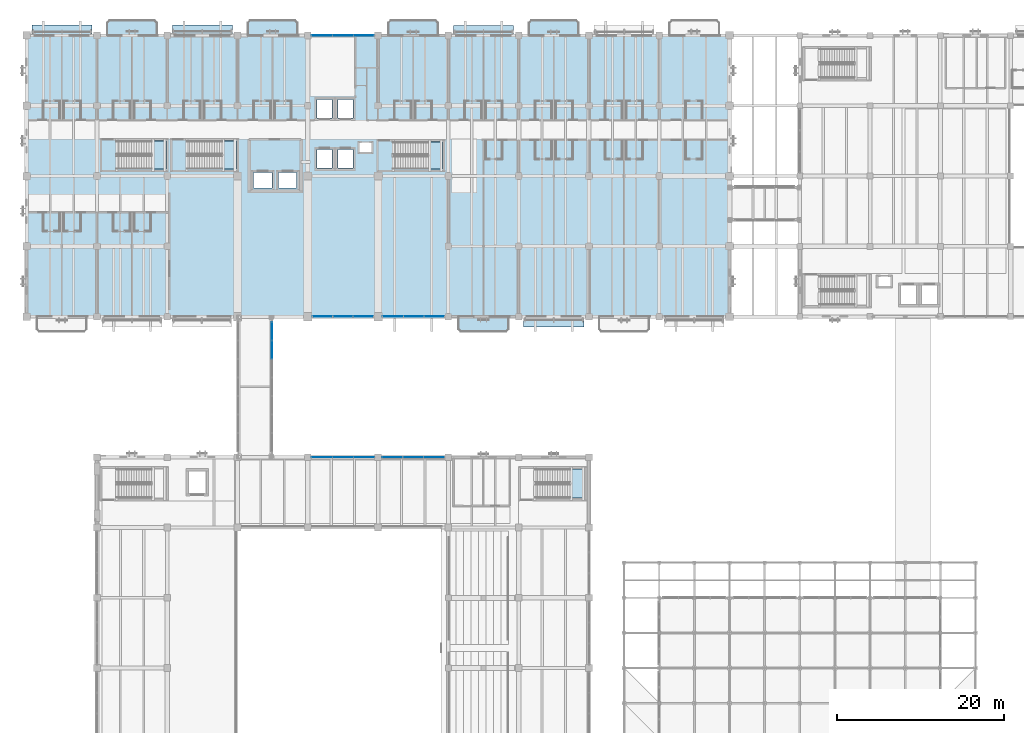
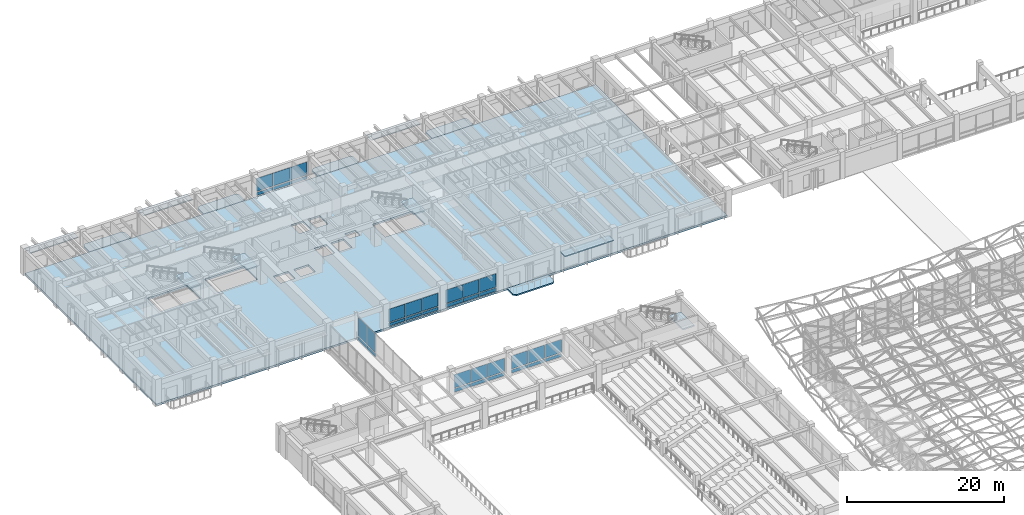
# One storey, part 66 of 132: 38 plates, 10 slabs, 14 elements without a shape of their own.
"""IFC4 building model written with IfcOpenShell, lengths in metres."""

from ifc_helpers import new_model, si_unit, direction, frame, origin, origin_2d, place, context, subcontext, project, spatial, polyline, rectangle, outline, extrude, material, layer, layer_set, type_object, element, aggregate, save


model = new_model("IFC4")

# Units and contexts
model_context = context("Model", 3, precision=1e-05, world=origin(), true_north=direction((0.0, 1.0)))
body_context = subcontext(model_context, "Body", "Model", "MODEL_VIEW")
ifc_project = project(units=[si_unit("LENGTHUNIT", "METRE"), si_unit("AREAUNIT", "SQUARE_METRE"), si_unit("VOLUMEUNIT", "CUBIC_METRE"), si_unit("PLANEANGLEUNIT", "RADIAN"), si_unit("MASSUNIT", "GRAM", prefix="KILO")], contexts=[model_context])

# Site, building, storey
site_placement = place(None, origin())
site = spatial("IfcSite", under=ifc_project, at=site_placement, CompositionType="ELEMENT")
building_placement = place(site_placement, origin())
building = spatial("IfcBuilding", under=site, at=building_placement, Name="Cumbredor Promenade Congress Hotel", CompositionType="ELEMENT")
storey_placement = place(building_placement, frame((0.0, 0.0, 7.56005859375)))
storey = spatial("IfcBuildingStorey", under=building, at=storey_placement, Name="L02", CompositionType="ELEMENT", Elevation=7.56005859375)

# Slabs
ifc_material_1 = material(Name="Concrete C40/50", Category="concrete")
ifc_layer_1 = layer(ifc_material_1, 0.215087890625, Name="Concrete C40/50", Category="concrete")
ifc_layer_set_1 = layer_set([ifc_layer_1], Name="Concrete C40/50")
slab_type_1 = type_object("IfcSlabType", Name="Cantilevered Guestroom Balcony Slab 215mm", PredefinedType="FLOOR", material=ifc_layer_set_1)
slab_1_placement = place(storey_placement, frame((0.0, 0.0, -0.215087890625)))
element("IfcSlab", 1, at=slab_1_placement, inside=storey, type_object=slab_type_1, Name="L02 Cantilevered Guestroom Veranda Balcony 004", PredefinedType="FLOOR", context=body_context, shape_type="SweptSolid", body=[
    extrude(outline(polyline([(9.550048828125, 117.60009765625), (15.64990234375, 117.60009765625), (15.64990234375, 119.10009765625), (15.300048828125, 119.449951171875), (9.89990234375, 119.449951171875), (9.550048828125, 119.10009765625), (9.550048828125, 117.60009765625)])), origin(), (0.0, 0.0, 1.0), 0.215087890625),
])
slab_2_placement = place(storey_placement, frame((0.0, 0.0, -0.215087890625)))
element("IfcSlab", 2, at=slab_2_placement, inside=storey, type_object=slab_type_1, Name="L02 Cantilevered Guestroom Veranda Balcony 005", PredefinedType="FLOOR", context=body_context, shape_type="SweptSolid", body=[
    extrude(outline(polyline([(26.35009765625, 117.60009765625), (32.449951171875, 117.60009765625), (32.449951171875, 119.10009765625), (32.10009765625, 119.449951171875), (26.699951171875, 119.449951171875), (26.35009765625, 119.10009765625), (26.35009765625, 117.60009765625)])), origin(), (0.0, 0.0, 1.0), 0.215087890625),
])
slab_3_placement = place(storey_placement, frame((0.0, 0.0, -0.215087890625)))
element("IfcSlab", 3, at=slab_3_placement, inside=storey, type_object=slab_type_1, Name="L02 Cantilevered Guestroom Veranda Balcony 006", PredefinedType="FLOOR", context=body_context, shape_type="SweptSolid", body=[
    extrude(outline(polyline([(43.14990234375, 117.60009765625), (49.25, 117.60009765625), (49.25, 119.10009765625), (48.89990234375, 119.449951171875), (43.5, 119.449951171875), (43.14990234375, 119.10009765625), (43.14990234375, 117.60009765625)])), origin(), (0.0, 0.0, 1.0), 0.215087890625),
])
slab_4_placement = place(storey_placement, frame((0.0, 0.0, -0.215087890625)))
element("IfcSlab", 4, at=slab_4_placement, inside=storey, type_object=slab_type_1, Name="L02 Cantilevered Guestroom Veranda Balcony 007", PredefinedType="FLOOR", context=body_context, shape_type="SweptSolid", body=[
    extrude(outline(polyline([(59.949951171875, 117.60009765625), (66.050048828125, 117.60009765625), (66.050048828125, 119.10009765625), (65.699951171875, 119.449951171875), (60.300048828125, 119.449951171875), (59.949951171875, 119.10009765625), (59.949951171875, 117.60009765625)])), origin(), (0.0, 0.0, 1.0), 0.215087890625),
])
slab_5_placement = place(storey_placement, frame((0.0, 0.0, -0.215087890625)))
element("IfcSlab", 5, at=slab_5_placement, inside=storey, type_object=slab_type_1, Name="L02 Cantilevered Guestroom Veranda Balcony 010", PredefinedType="FLOOR", context=body_context, shape_type="SweptSolid", body=[
    extrude(outline(polyline([(51.89990234375, 82.14990234375), (57.300048828125, 82.14990234375), (57.64990234375, 82.5), (57.64990234375, 84.0), (51.550048828125, 84.0), (51.550048828125, 82.5), (51.89990234375, 82.14990234375)])), origin(), (0.0, 0.0, 1.0), 0.215087890625),
])

# Stair, slab
stair_type_1 = type_object("IfcStairType", Name="Protected Dog-Leg Exit Stair ST-T2 1600mm", PredefinedType="HALF_TURN_STAIR", material=ifc_material_1)
stair_1_placement = place(storey_placement, origin())
stair_1 = element("IfcStair", 6, at=stair_1_placement, inside=storey, type_object=stair_type_1, Name="L02 Protected Exit Stair ST-01", PredefinedType="HALF_TURN_STAIR")
ifc_layer_2 = layer(ifc_material_1, 0.199951171875, Name="Concrete C40/50", Category="concrete")
ifc_layer_set_2 = layer_set([ifc_layer_2], Name="Concrete C40/50")
slab_type_2 = type_object("IfcSlabType", Name="Concrete Stair Landing Slab 200mm", PredefinedType="LANDING", material=ifc_layer_set_2)
slab_6_placement = place(storey_placement, frame((0.0, 0.0, 1.89990234375)))
slab_6 = element("IfcSlab", 7, at=slab_6_placement, type_object=slab_type_2, Name="ST-01 landing 1", PredefinedType="LANDING", context=body_context, shape_type="SweptSolid", body=[
    extrude(outline(polyline([(14.949951171875, 101.6201171875), (16.64990234375, 101.6201171875), (16.64990234375, 104.969970703125), (14.949951171875, 104.969970703125), (14.949951171875, 101.6201171875)])), origin(), (0.0, 0.0, 1.0), 0.199951171875),
])
aggregate(stair_1, [slab_6])

stair_2_placement = place(storey_placement, origin())
stair_2 = element("IfcStair", 8, at=stair_2_placement, inside=storey, type_object=stair_type_1, Name="L02 Protected Exit Stair ST-02", PredefinedType="HALF_TURN_STAIR")
slab_7_placement = place(storey_placement, frame((0.0, 0.0, 1.89990234375)))
slab_7 = element("IfcSlab", 9, at=slab_7_placement, type_object=slab_type_2, Name="ST-02 landing 1", PredefinedType="LANDING", context=body_context, shape_type="SweptSolid", body=[
    extrude(outline(polyline([(23.35009765625, 101.6201171875), (25.050048828125, 101.6201171875), (25.050048828125, 104.969970703125), (23.35009765625, 104.969970703125), (23.35009765625, 101.6201171875)])), origin(), (0.0, 0.0, 1.0), 0.199951171875),
])
aggregate(stair_2, [slab_7])

stair_type_2 = type_object("IfcStairType", Name="Protected Dog-Leg Exit Stair ST-T1 1550mm", PredefinedType="HALF_TURN_STAIR", material=ifc_material_1)
stair_3_placement = place(storey_placement, origin())
stair_3 = element("IfcStair", 10, at=stair_3_placement, inside=storey, type_object=stair_type_2, Name="L02 Protected Exit Stair ST-03", PredefinedType="HALF_TURN_STAIR")
slab_8_placement = place(storey_placement, frame((0.0, 0.0, 1.89990234375)))
slab_8 = element("IfcSlab", 11, at=slab_8_placement, type_object=slab_type_2, Name="ST-03 landing 1", PredefinedType="LANDING", context=body_context, shape_type="SweptSolid", body=[
    extrude(outline(polyline([(48.0, 101.6201171875), (49.699951171875, 101.6201171875), (49.699951171875, 104.8701171875), (48.0, 104.8701171875), (48.0, 101.6201171875)])), origin(), (0.0, 0.0, 1.0), 0.199951171875),
])
aggregate(stair_3, [slab_8])

stair_type_3 = type_object("IfcStairType", Name="Protected Dog-Leg Exit Stair ST-T3 1650mm", PredefinedType="HALF_TURN_STAIR", material=ifc_material_1)
stair_4_placement = place(storey_placement, origin())
stair_4 = element("IfcStair", 12, at=stair_4_placement, inside=storey, type_object=stair_type_3, Name="L02 Protected Exit Stair ST-07", PredefinedType="HALF_TURN_STAIR")
slab_9_placement = place(storey_placement, frame((0.0, 0.0, 1.89990234375)))
slab_9 = element("IfcSlab", 13, at=slab_9_placement, type_object=slab_type_2, Name="ST-07 landing 1", PredefinedType="LANDING", context=body_context, shape_type="SweptSolid", body=[
    extrude(outline(polyline([(64.949951171875, 62.35009765625), (66.64990234375, 62.35009765625), (66.64990234375, 65.800048828125), (64.949951171875, 65.800048828125), (64.949951171875, 62.35009765625)])), origin(), (0.0, 0.0, 1.0), 0.199951171875),
])
aggregate(stair_4, [slab_9])

# Slab
ifc_layer_3 = layer(ifc_material_1, 0.280029296875, Name="Concrete C40/50", Category="concrete")
ifc_layer_set_3 = layer_set([ifc_layer_3], Name="Concrete C40/50")
slab_type_3 = type_object("IfcSlabType", Name="Gallery Floor Slab 280mm", PredefinedType="FLOOR", material=ifc_layer_set_3)
slab_10_placement = place(storey_placement, frame((0.0, 0.0, -0.280029296875)))
element("IfcSlab", 14, at=slab_10_placement, inside=storey, type_object=slab_type_3, Name="L02 Stepped Congress Hotel Wing Floor Slab", PredefinedType="FLOOR", context=body_context, shape_type="SweptSolid", body=[
    extrude(outline(polyline([(0.0, 84.0), (84.0, 84.0), (84.0, 117.60009765625), (0.0, 117.60009765625), (0.0, 84.0)]), holes=[polyline([(10.75, 101.6201171875), (16.64990234375, 101.6201171875), (16.64990234375, 104.969970703125), (10.75, 104.969970703125), (10.75, 101.6201171875)]), polyline([(19.14990234375, 101.6201171875), (25.050048828125, 101.6201171875), (25.050048828125, 104.969970703125), (19.14990234375, 104.969970703125), (19.14990234375, 101.6201171875)]), polyline([(43.800048828125, 101.6201171875), (49.699951171875, 101.6201171875), (49.699951171875, 104.8701171875), (43.800048828125, 104.8701171875), (43.800048828125, 101.6201171875)]), polyline([(27.1298828125, 99.39990234375), (29.300048828125, 99.39990234375), (29.300048828125, 101.199951171875), (27.1298828125, 101.199951171875), (27.1298828125, 99.39990234375)]), polyline([(30.10009765625, 99.39990234375), (32.27001953125, 99.39990234375), (32.27001953125, 101.199951171875), (30.10009765625, 101.199951171875), (30.10009765625, 99.39990234375)]), polyline([(34.699951171875, 107.75), (36.5, 107.75), (36.5, 109.949951171875), (34.699951171875, 109.949951171875), (34.699951171875, 107.75)]), polyline([(37.199951171875, 107.75), (39.0, 107.75), (39.0, 109.949951171875), (37.199951171875, 109.949951171875), (37.199951171875, 107.75)]), polyline([(34.699951171875, 101.75), (36.5, 101.75), (36.5, 103.949951171875), (34.699951171875, 103.949951171875), (34.699951171875, 101.75)]), polyline([(37.199951171875, 101.75), (39.0, 101.75), (39.0, 103.949951171875), (37.199951171875, 103.949951171875), (37.199951171875, 101.75)]), polyline([(39.699951171875, 103.60009765625), (41.300048828125, 103.60009765625), (41.300048828125, 104.800048828125), (39.699951171875, 104.800048828125), (39.699951171875, 103.60009765625)])]), origin(), (0.0, 0.0, 1.0), 0.280029296875),
])

# Curtain wall, plates
ifc_material_2 = material(Name="Thermally broken anodized aluminium and low-E glass", Category="aluminium")
curtain_wall_type_1 = type_object("IfcCurtainWallType", Name="Unitised Bridge Glazing Screen CW-05", PredefinedType="NOTDEFINED", material=ifc_material_2)
curtain_wall_1_placement = place(storey_placement, origin())
curtain_wall_1 = element("IfcCurtainWall", 15, at=curtain_wall_1_placement, inside=storey, type_object=curtain_wall_type_1, Name="L02 West Congress-to-Hotel Glazed Bridge East Glazing Screen", PredefinedType="NOTDEFINED")
ifc_material_3 = material(Name="Laminated low-E solar-control glass", Category="glass")
ifc_layer_4 = layer(ifc_material_3, 0.030029296875, Name="Laminated low-E solar-control glass", Category="glass")
ifc_layer_set_4 = layer_set([ifc_layer_4], Name="Laminated low-E solar-control glass")
plate_type_1 = type_object("IfcPlateType", Name="Glazed Bridge Panel PNL-04", PredefinedType="CURTAIN_PANEL", material=ifc_layer_set_4)
plate_1_placement = place(storey_placement, frame((29.320068359375, 80.02294921875, 0.78515625), z_axis=(0.0, 0.0, 1.0), x_axis=(0.0, 1.0, 0.0)))
plate_1 = element("IfcPlate", 16, at=plate_1_placement, type_object=plate_type_1, Name="L02 West Congress-to-Hotel Glazed Bridge East Glazing Screen Glazing Panel 6.2", PredefinedType="CURTAIN_PANEL", context=body_context, shape_type="SweptSolid", body=[
    extrude(rectangle(XDim=2.146484375, YDim=0.030029296875, at=origin_2d()), origin(), (0.0, 0.0, 1.0), 2.909912109375),
])
plate_2_placement = place(storey_placement, frame((29.320068359375, 82.234375, 0.78515625), z_axis=(0.0, 0.0, 1.0), x_axis=(0.0, 1.0, 0.0)))
plate_2 = element("IfcPlate", 17, at=plate_2_placement, type_object=plate_type_1, Name="L02 West Congress-to-Hotel Glazed Bridge East Glazing Screen Glazing Panel 7.2", PredefinedType="CURTAIN_PANEL", context=body_context, shape_type="SweptSolid", body=[
    extrude(rectangle(XDim=2.146484375, YDim=0.030029296875, at=origin_2d()), origin(), (0.0, 0.0, 1.0), 2.909912109375),
])

curtain_wall_type_2 = type_object("IfcCurtainWallType", Name="Unitised Bronze Curtain Wall CW-01", PredefinedType="NOTDEFINED", material=ifc_material_2)
curtain_wall_2_placement = place(storey_placement, origin())
curtain_wall_2 = element("IfcCurtainWall", 18, at=curtain_wall_2_placement, inside=storey, type_object=curtain_wall_type_2, Name="L02 Plenary Congress Hall North Curtain Wall 4", PredefinedType="NOTDEFINED")
ifc_layer_5 = layer(ifc_material_3, 0.028076171875, Name="Laminated low-E solar-control glass", Category="glass")
ifc_layer_set_5 = layer_set([ifc_layer_5], Name="Laminated low-E solar-control glass")
plate_type_2 = type_object("IfcPlateType", Name="Glazed Vision Panel PNL-01", PredefinedType="CURTAIN_PANEL", material=ifc_layer_set_5)
plate_3_placement = place(storey_placement, frame((35.30322265625, 67.199951171875, 0.78466796875), z_axis=(0.0, 0.0, 1.0), x_axis=(1.0, 0.0, 0.0)))
plate_3 = element("IfcPlate", 19, at=plate_3_placement, type_object=plate_type_2, Name="L02 Plenary Congress Hall North Curtain Wall 4 Glazing Panel 1.2", PredefinedType="CURTAIN_PANEL", context=body_context, shape_type="SweptSolid", body=[
    extrude(rectangle(XDim=2.431640625, YDim=0.028076171875, at=origin_2d()), origin(), (0.0, 0.0, 1.0), 2.070068359375),
])
plate_4_placement = place(storey_placement, frame((37.800048828125, 67.199951171875, 0.78466796875), z_axis=(0.0, 0.0, 1.0), x_axis=(1.0, 0.0, 0.0)))
plate_4 = element("IfcPlate", 20, at=plate_4_placement, type_object=plate_type_2, Name="L02 Plenary Congress Hall North Curtain Wall 4 Glazing Panel 2.2", PredefinedType="CURTAIN_PANEL", context=body_context, shape_type="SweptSolid", body=[
    extrude(rectangle(XDim=2.431640625, YDim=0.028076171875, at=origin_2d()), origin(), (0.0, 0.0, 1.0), 2.070068359375),
])
plate_5_placement = place(storey_placement, frame((40.296630859375, 67.199951171875, 0.78466796875), z_axis=(0.0, 0.0, 1.0), x_axis=(1.0, 0.0, 0.0)))
plate_5 = element("IfcPlate", 21, at=plate_5_placement, type_object=plate_type_2, Name="L02 Plenary Congress Hall North Curtain Wall 4 Glazing Panel 3.2", PredefinedType="CURTAIN_PANEL", context=body_context, shape_type="SweptSolid", body=[
    extrude(rectangle(XDim=2.431640625, YDim=0.028076171875, at=origin_2d()), origin(), (0.0, 0.0, 1.0), 2.070068359375),
])

curtain_wall_3_placement = place(storey_placement, origin())
curtain_wall_3 = element("IfcCurtainWall", 22, at=curtain_wall_3_placement, inside=storey, type_object=curtain_wall_type_2, Name="L02 Stepped Congress Hotel Wing South Curtain Wall 6", PredefinedType="NOTDEFINED")
plate_6_placement = place(storey_placement, frame((43.78662109375, 84.0, 0.78466796875), z_axis=(0.0, 0.0, 1.0), x_axis=(1.0, 0.0, 0.0)))
plate_6 = element("IfcPlate", 23, at=plate_6_placement, type_object=plate_type_2, Name="L02 Stepped Congress Hotel Wing South Curtain Wall 6 Glazing Panel 1.2", PredefinedType="CURTAIN_PANEL", context=body_context, shape_type="SweptSolid", body=[
    extrude(rectangle(XDim=2.398193359375, YDim=0.028076171875, at=origin_2d()), origin(), (0.0, 0.0, 1.0), 2.070068359375),
])
plate_7_placement = place(storey_placement, frame((46.25, 84.0, 0.78466796875), z_axis=(0.0, 0.0, 1.0), x_axis=(1.0, 0.0, 0.0)))
plate_7 = element("IfcPlate", 24, at=plate_7_placement, type_object=plate_type_2, Name="L02 Stepped Congress Hotel Wing South Curtain Wall 6 Glazing Panel 2.2", PredefinedType="CURTAIN_PANEL", context=body_context, shape_type="SweptSolid", body=[
    extrude(rectangle(XDim=2.3984375, YDim=0.028076171875, at=origin_2d()), origin(), (0.0, 0.0, 1.0), 2.070068359375),
])
plate_8_placement = place(storey_placement, frame((48.71337890625, 84.0, 0.78466796875), z_axis=(0.0, 0.0, 1.0), x_axis=(1.0, 0.0, 0.0)))
plate_8 = element("IfcPlate", 25, at=plate_8_placement, type_object=plate_type_2, Name="L02 Stepped Congress Hotel Wing South Curtain Wall 6 Glazing Panel 3.2", PredefinedType="CURTAIN_PANEL", context=body_context, shape_type="SweptSolid", body=[
    extrude(rectangle(XDim=2.398193359375, YDim=0.028076171875, at=origin_2d()), origin(), (0.0, 0.0, 1.0), 2.070068359375),
])

curtain_wall_4_placement = place(storey_placement, origin())
curtain_wall_4 = element("IfcCurtainWall", 26, at=curtain_wall_4_placement, inside=storey, type_object=curtain_wall_type_2, Name="L02 Plenary Congress Hall North Curtain Wall 5", PredefinedType="NOTDEFINED")
ifc_layer_6 = layer(ifc_material_3, 0.031982421875, Name="Laminated low-E solar-control glass", Category="glass")
ifc_layer_set_6 = layer_set([ifc_layer_6], Name="Laminated low-E solar-control glass")
plate_type_3 = type_object("IfcPlateType", Name="Glazed Vision Panel PNL-02", PredefinedType="CURTAIN_PANEL", material=ifc_layer_set_6)
plate_9_placement = place(storey_placement, frame((43.703369140625, 67.199951171875, 0.794921875), z_axis=(0.0, 0.0, 1.0), x_axis=(1.0, 0.0, 0.0)))
plate_9 = element("IfcPlate", 27, at=plate_9_placement, type_object=plate_type_3, Name="L02 Plenary Congress Hall North Curtain Wall 5 Glazing Panel 1.2", PredefinedType="CURTAIN_PANEL", context=body_context, shape_type="SweptSolid", body=[
    extrude(rectangle(XDim=2.421630859375, YDim=0.031982421875, at=origin_2d()), origin(), (0.0, 0.0, 1.0), 2.0400390625),
])
plate_10_placement = place(storey_placement, frame((46.199951171875, 67.199951171875, 0.794921875), z_axis=(0.0, 0.0, 1.0), x_axis=(1.0, 0.0, 0.0)))
plate_10 = element("IfcPlate", 28, at=plate_10_placement, type_object=plate_type_3, Name="L02 Plenary Congress Hall North Curtain Wall 5 Glazing Panel 2.2", PredefinedType="CURTAIN_PANEL", context=body_context, shape_type="SweptSolid", body=[
    extrude(rectangle(XDim=2.421630859375, YDim=0.031982421875, at=origin_2d()), origin(), (0.0, 0.0, 1.0), 2.0400390625),
])
plate_11_placement = place(storey_placement, frame((48.696533203125, 67.199951171875, 0.794921875), z_axis=(0.0, 0.0, 1.0), x_axis=(1.0, 0.0, 0.0)))
plate_11 = element("IfcPlate", 29, at=plate_11_placement, type_object=plate_type_3, Name="L02 Plenary Congress Hall North Curtain Wall 5 Glazing Panel 3.2", PredefinedType="CURTAIN_PANEL", context=body_context, shape_type="SweptSolid", body=[
    extrude(rectangle(XDim=2.421630859375, YDim=0.031982421875, at=origin_2d()), origin(), (0.0, 0.0, 1.0), 2.0400390625),
])

curtain_wall_5_placement = place(storey_placement, origin())
curtain_wall_5 = element("IfcCurtainWall", 30, at=curtain_wall_5_placement, inside=storey, type_object=curtain_wall_type_2, Name="L02 Stepped Congress Hotel Wing North Curtain Wall 5", PredefinedType="NOTDEFINED")
plate_12_placement = place(storey_placement, frame((35.303466796875, 117.60009765625, 0.794921875), z_axis=(0.0, 0.0, 1.0), x_axis=(1.0, 0.0, 0.0)))
plate_12 = element("IfcPlate", 31, at=plate_12_placement, type_object=plate_type_3, Name="L02 Stepped Congress Hotel Wing North Curtain Wall 5 Glazing Panel 1.2", PredefinedType="CURTAIN_PANEL", context=body_context, shape_type="SweptSolid", body=[
    extrude(rectangle(XDim=2.421630859375, YDim=0.031982421875, at=origin_2d()), origin(), (0.0, 0.0, 1.0), 2.0400390625),
])
plate_13_placement = place(storey_placement, frame((37.800048828125, 117.60009765625, 0.794921875), z_axis=(0.0, 0.0, 1.0), x_axis=(1.0, 0.0, 0.0)))
plate_13 = element("IfcPlate", 32, at=plate_13_placement, type_object=plate_type_3, Name="L02 Stepped Congress Hotel Wing North Curtain Wall 5 Glazing Panel 2.2", PredefinedType="CURTAIN_PANEL", context=body_context, shape_type="SweptSolid", body=[
    extrude(rectangle(XDim=2.421630859375, YDim=0.031982421875, at=origin_2d()), origin(), (0.0, 0.0, 1.0), 2.0400390625),
])
plate_14_placement = place(storey_placement, frame((40.296630859375, 117.60009765625, 0.794921875), z_axis=(0.0, 0.0, 1.0), x_axis=(1.0, 0.0, 0.0)))
plate_14 = element("IfcPlate", 33, at=plate_14_placement, type_object=plate_type_3, Name="L02 Stepped Congress Hotel Wing North Curtain Wall 5 Glazing Panel 3.2", PredefinedType="CURTAIN_PANEL", context=body_context, shape_type="SweptSolid", body=[
    extrude(rectangle(XDim=2.421630859375, YDim=0.031982421875, at=origin_2d()), origin(), (0.0, 0.0, 1.0), 2.0400390625),
])

curtain_wall_6_placement = place(storey_placement, origin())
curtain_wall_6 = element("IfcCurtainWall", 34, at=curtain_wall_6_placement, inside=storey, type_object=curtain_wall_type_2, Name="L02 Stepped Congress Hotel Wing South Curtain Wall 5", PredefinedType="NOTDEFINED")
ifc_layer_7 = layer(ifc_material_3, 0.028076171875, Name="Laminated low-E solar-control glass", Category="glass")
ifc_layer_set_7 = layer_set([ifc_layer_7], Name="Laminated low-E solar-control glass")
plate_type_4 = type_object("IfcPlateType", Name="Glazed Vision Panel PNL-03", PredefinedType="CURTAIN_PANEL", material=ifc_layer_set_7)
plate_15_placement = place(storey_placement, frame((35.3701171875, 84.0, 0.81005859375), z_axis=(0.0, 0.0, 1.0), x_axis=(1.0, 0.0, 0.0)))
plate_15 = element("IfcPlate", 35, at=plate_15_placement, type_object=plate_type_4, Name="L02 Stepped Congress Hotel Wing South Curtain Wall 5 Glazing Panel 1.2", PredefinedType="CURTAIN_PANEL", context=body_context, shape_type="SweptSolid", body=[
    extrude(rectangle(XDim=2.35009765625, YDim=0.028076171875, at=origin_2d()), origin(), (0.0, 0.0, 1.0), 2.0),
])
plate_16_placement = place(storey_placement, frame((37.800048828125, 84.0, 0.81005859375), z_axis=(0.0, 0.0, 1.0), x_axis=(1.0, 0.0, 0.0)))
plate_16 = element("IfcPlate", 36, at=plate_16_placement, type_object=plate_type_4, Name="L02 Stepped Congress Hotel Wing South Curtain Wall 5 Glazing Panel 2.2", PredefinedType="CURTAIN_PANEL", context=body_context, shape_type="SweptSolid", body=[
    extrude(rectangle(XDim=2.35009765625, YDim=0.028076171875, at=origin_2d()), origin(), (0.0, 0.0, 1.0), 2.0),
])
plate_17_placement = place(storey_placement, frame((40.22998046875, 84.0, 0.81005859375), z_axis=(0.0, 0.0, 1.0), x_axis=(1.0, 0.0, 0.0)))
plate_17 = element("IfcPlate", 37, at=plate_17_placement, type_object=plate_type_4, Name="L02 Stepped Congress Hotel Wing South Curtain Wall 5 Glazing Panel 3.2", PredefinedType="CURTAIN_PANEL", context=body_context, shape_type="SweptSolid", body=[
    extrude(rectangle(XDim=2.35009765625, YDim=0.028076171875, at=origin_2d()), origin(), (0.0, 0.0, 1.0), 2.0),
])

# Curtain wall, plate
curtain_wall_type_3 = type_object("IfcCurtainWallType", Name="Solar Brise-Soleil Screen Assembly CW-07", PredefinedType="NOTDEFINED", material=ifc_material_2)
curtain_wall_7_placement = place(storey_placement, origin())
curtain_wall_7 = element("IfcCurtainWall", 38, at=curtain_wall_7_placement, inside=storey, type_object=curtain_wall_type_3, Name="L02 Hospitality Brise-Soleil Screen 041", PredefinedType="NOTDEFINED")
ifc_material_4 = material(Name="Precast concrete C40/50", Category="concrete")
ifc_layer_8 = layer(ifc_material_4, 0.14501953125, Name="Precast concrete C40/50", Category="concrete")
ifc_layer_set_8 = layer_set([ifc_layer_8], Name="Precast concrete C40/50")
plate_type_5 = type_object("IfcPlateType", Name="Horizontal Precast Sun-Hood Eyebrow Plate 145mm", PredefinedType="USERDEFINED", material=ifc_layer_set_8)
plate_18_placement = place(storey_placement, frame((63.0, 83.433837890625, 2.824951171875), z_axis=(0.0, 0.0, 1.0), x_axis=(1.0, 0.0, 0.0)))
plate_18 = element("IfcPlate", 39, at=plate_18_placement, type_object=plate_type_5, Name="L02 Horizontal Sun-Hood Eyebrow 041", ObjectType="SUN HOOD", PredefinedType="USERDEFINED", context=body_context, shape_type="SweptSolid", body=[
    extrude(rectangle(XDim=7.197998046875, YDim=1.29248046875, at=origin_2d()), origin(), (0.0, 0.0, 1.0), 0.14501953125),
])
aggregate(curtain_wall_7, [plate_18])

curtain_wall_8_placement = place(storey_placement, origin())
curtain_wall_8 = element("IfcCurtainWall", 40, at=curtain_wall_8_placement, inside=storey, type_object=curtain_wall_type_3, Name="L02 Hospitality Brise-Soleil Screen 043", PredefinedType="NOTDEFINED")
plate_19_placement = place(storey_placement, frame((4.22509765625, 118.172607421875, 2.824951171875), z_axis=(0.0, 0.0, 1.0), x_axis=(1.0, 0.0, 0.0)))
plate_19 = element("IfcPlate", 41, at=plate_19_placement, type_object=plate_type_5, Name="L02 Horizontal Sun-Hood Eyebrow 043", ObjectType="SUN HOOD", PredefinedType="USERDEFINED", context=body_context, shape_type="SweptSolid", body=[
    extrude(rectangle(XDim=7.14794921875, YDim=1.304931640625, at=origin_2d()), origin(), (0.0, 0.0, 1.0), 0.14501953125),
])
aggregate(curtain_wall_8, [plate_19])

curtain_wall_9_placement = place(storey_placement, origin())
curtain_wall_9 = element("IfcCurtainWall", 42, at=curtain_wall_9_placement, inside=storey, type_object=curtain_wall_type_3, Name="L02 Hospitality Brise-Soleil Screen 044", PredefinedType="NOTDEFINED")
plate_20_placement = place(storey_placement, frame((21.0, 118.191162109375, 2.824951171875), z_axis=(0.0, 0.0, 1.0), x_axis=(1.0, 0.0, 0.0)))
plate_20 = element("IfcPlate", 43, at=plate_20_placement, type_object=plate_type_5, Name="L02 Horizontal Sun-Hood Eyebrow 044", ObjectType="SUN HOOD", PredefinedType="USERDEFINED", context=body_context, shape_type="SweptSolid", body=[
    extrude(rectangle(XDim=7.197998046875, YDim=1.342529296875, at=origin_2d()), origin(), (0.0, 0.0, 1.0), 0.14501953125),
])
aggregate(curtain_wall_9, [plate_20])

curtain_wall_10_placement = place(storey_placement, origin())
curtain_wall_10 = element("IfcCurtainWall", 44, at=curtain_wall_10_placement, inside=storey, type_object=curtain_wall_type_3, Name="L02 Hospitality Brise-Soleil Screen 045", PredefinedType="NOTDEFINED")
plate_21_placement = place(storey_placement, frame((54.60009765625, 118.159912109375, 2.824951171875), z_axis=(0.0, 0.0, 1.0), x_axis=(1.0, 0.0, 0.0)))
plate_21 = element("IfcPlate", 45, at=plate_21_placement, type_object=plate_type_5, Name="L02 Horizontal Sun-Hood Eyebrow 045", ObjectType="SUN HOOD", PredefinedType="USERDEFINED", context=body_context, shape_type="SweptSolid", body=[
    extrude(rectangle(XDim=7.197998046875, YDim=1.280029296875, at=origin_2d()), origin(), (0.0, 0.0, 1.0), 0.14501953125),
])
aggregate(curtain_wall_10, [plate_21])

# Plate
ifc_material_5 = material(Name="Thermally broken anodized aluminium", Category="aluminium")
ifc_layer_9 = layer(ifc_material_5, 0.0400390625, Name="Thermally broken anodized aluminium", Category="aluminium")
ifc_layer_set_9 = layer_set([ifc_layer_9], Name="Thermally broken anodized aluminium")
plate_type_6 = type_object("IfcPlateType", Name="Insulated Spandrel Panel PNL-05", PredefinedType="CURTAIN_PANEL", material=ifc_layer_set_9)
plate_22_placement = place(storey_placement, frame((35.30322265625, 67.199951171875, 0.125), z_axis=(0.0, 0.0, 1.0), x_axis=(1.0, 0.0, 0.0)))
plate_22 = element("IfcPlate", 46, at=plate_22_placement, type_object=plate_type_6, Name="L02 Plenary Congress Hall North Curtain Wall 4 Spandrel Panel 1.1", PredefinedType="CURTAIN_PANEL", context=body_context, shape_type="SweptSolid", body=[
    extrude(rectangle(XDim=2.431640625, YDim=0.0400390625, at=origin_2d()), origin(), (0.0, 0.0, 1.0), 0.530029296875),
])

plate_23_placement = place(storey_placement, frame((37.800048828125, 67.199951171875, 0.125), z_axis=(0.0, 0.0, 1.0), x_axis=(1.0, 0.0, 0.0)))
plate_23 = element("IfcPlate", 47, at=plate_23_placement, type_object=plate_type_6, Name="L02 Plenary Congress Hall North Curtain Wall 4 Spandrel Panel 2.1", PredefinedType="CURTAIN_PANEL", context=body_context, shape_type="SweptSolid", body=[
    extrude(rectangle(XDim=2.431640625, YDim=0.0400390625, at=origin_2d()), origin(), (0.0, 0.0, 1.0), 0.530029296875),
])

plate_24_placement = place(storey_placement, frame((40.296630859375, 67.199951171875, 0.125), z_axis=(0.0, 0.0, 1.0), x_axis=(1.0, 0.0, 0.0)))
plate_24 = element("IfcPlate", 48, at=plate_24_placement, type_object=plate_type_6, Name="L02 Plenary Congress Hall North Curtain Wall 4 Spandrel Panel 3.1", PredefinedType="CURTAIN_PANEL", context=body_context, shape_type="SweptSolid", body=[
    extrude(rectangle(XDim=2.431640625, YDim=0.0400390625, at=origin_2d()), origin(), (0.0, 0.0, 1.0), 0.530029296875),
])

aggregate(curtain_wall_2, [plate_22, plate_3, plate_23, plate_4, plate_24, plate_5])

plate_25_placement = place(storey_placement, frame((43.78662109375, 84.0, 0.125), z_axis=(0.0, 0.0, 1.0), x_axis=(1.0, 0.0, 0.0)))
plate_25 = element("IfcPlate", 49, at=plate_25_placement, type_object=plate_type_6, Name="L02 Stepped Congress Hotel Wing South Curtain Wall 6 Spandrel Panel 1.1", PredefinedType="CURTAIN_PANEL", context=body_context, shape_type="SweptSolid", body=[
    extrude(rectangle(XDim=2.398193359375, YDim=0.0400390625, at=origin_2d()), origin(), (0.0, 0.0, 1.0), 0.530029296875),
])

plate_26_placement = place(storey_placement, frame((46.25, 84.0, 0.125), z_axis=(0.0, 0.0, 1.0), x_axis=(1.0, 0.0, 0.0)))
plate_26 = element("IfcPlate", 50, at=plate_26_placement, type_object=plate_type_6, Name="L02 Stepped Congress Hotel Wing South Curtain Wall 6 Spandrel Panel 2.1", PredefinedType="CURTAIN_PANEL", context=body_context, shape_type="SweptSolid", body=[
    extrude(rectangle(XDim=2.3984375, YDim=0.0400390625, at=origin_2d()), origin(), (0.0, 0.0, 1.0), 0.530029296875),
])

plate_27_placement = place(storey_placement, frame((48.71337890625, 84.0, 0.125), z_axis=(0.0, 0.0, 1.0), x_axis=(1.0, 0.0, 0.0)))
plate_27 = element("IfcPlate", 51, at=plate_27_placement, type_object=plate_type_6, Name="L02 Stepped Congress Hotel Wing South Curtain Wall 6 Spandrel Panel 3.1", PredefinedType="CURTAIN_PANEL", context=body_context, shape_type="SweptSolid", body=[
    extrude(rectangle(XDim=2.398193359375, YDim=0.0400390625, at=origin_2d()), origin(), (0.0, 0.0, 1.0), 0.530029296875),
])

aggregate(curtain_wall_3, [plate_25, plate_6, plate_26, plate_7, plate_27, plate_8])

ifc_layer_10 = layer(ifc_material_5, 0.0400390625, Name="Thermally broken anodized aluminium", Category="aluminium")
ifc_layer_set_10 = layer_set([ifc_layer_10], Name="Thermally broken anodized aluminium")
plate_type_7 = type_object("IfcPlateType", Name="Insulated Spandrel Panel PNL-06", PredefinedType="CURTAIN_PANEL", material=ifc_layer_set_10)
plate_28_placement = place(storey_placement, frame((43.703369140625, 67.199951171875, 0.14501953125), z_axis=(0.0, 0.0, 1.0), x_axis=(1.0, 0.0, 0.0)))
plate_28 = element("IfcPlate", 52, at=plate_28_placement, type_object=plate_type_7, Name="L02 Plenary Congress Hall North Curtain Wall 5 Spandrel Panel 1.1", PredefinedType="CURTAIN_PANEL", context=body_context, shape_type="SweptSolid", body=[
    extrude(rectangle(XDim=2.421630859375, YDim=0.0400390625, at=origin_2d()), origin(), (0.0, 0.0, 1.0), 0.5),
])

plate_29_placement = place(storey_placement, frame((46.199951171875, 67.199951171875, 0.14501953125), z_axis=(0.0, 0.0, 1.0), x_axis=(1.0, 0.0, 0.0)))
plate_29 = element("IfcPlate", 53, at=plate_29_placement, type_object=plate_type_7, Name="L02 Plenary Congress Hall North Curtain Wall 5 Spandrel Panel 2.1", PredefinedType="CURTAIN_PANEL", context=body_context, shape_type="SweptSolid", body=[
    extrude(rectangle(XDim=2.421630859375, YDim=0.0400390625, at=origin_2d()), origin(), (0.0, 0.0, 1.0), 0.5),
])

plate_30_placement = place(storey_placement, frame((48.696533203125, 67.199951171875, 0.14501953125), z_axis=(0.0, 0.0, 1.0), x_axis=(1.0, 0.0, 0.0)))
plate_30 = element("IfcPlate", 54, at=plate_30_placement, type_object=plate_type_7, Name="L02 Plenary Congress Hall North Curtain Wall 5 Spandrel Panel 3.1", PredefinedType="CURTAIN_PANEL", context=body_context, shape_type="SweptSolid", body=[
    extrude(rectangle(XDim=2.421630859375, YDim=0.0400390625, at=origin_2d()), origin(), (0.0, 0.0, 1.0), 0.5),
])

aggregate(curtain_wall_4, [plate_28, plate_9, plate_29, plate_10, plate_30, plate_11])

plate_31_placement = place(storey_placement, frame((35.3701171875, 84.0, 0.18017578125), z_axis=(0.0, 0.0, 1.0), x_axis=(1.0, 0.0, 0.0)))
plate_31 = element("IfcPlate", 55, at=plate_31_placement, type_object=plate_type_7, Name="L02 Stepped Congress Hotel Wing South Curtain Wall 5 Spandrel Panel 1.1", PredefinedType="CURTAIN_PANEL", context=body_context, shape_type="SweptSolid", body=[
    extrude(rectangle(XDim=2.35009765625, YDim=0.0400390625, at=origin_2d()), origin(), (0.0, 0.0, 1.0), 0.449951171875),
])

plate_32_placement = place(storey_placement, frame((37.800048828125, 84.0, 0.18017578125), z_axis=(0.0, 0.0, 1.0), x_axis=(1.0, 0.0, 0.0)))
plate_32 = element("IfcPlate", 56, at=plate_32_placement, type_object=plate_type_7, Name="L02 Stepped Congress Hotel Wing South Curtain Wall 5 Spandrel Panel 2.1", PredefinedType="CURTAIN_PANEL", context=body_context, shape_type="SweptSolid", body=[
    extrude(rectangle(XDim=2.35009765625, YDim=0.0400390625, at=origin_2d()), origin(), (0.0, 0.0, 1.0), 0.449951171875),
])

plate_33_placement = place(storey_placement, frame((40.22998046875, 84.0, 0.18017578125), z_axis=(0.0, 0.0, 1.0), x_axis=(1.0, 0.0, 0.0)))
plate_33 = element("IfcPlate", 57, at=plate_33_placement, type_object=plate_type_7, Name="L02 Stepped Congress Hotel Wing South Curtain Wall 5 Spandrel Panel 3.1", PredefinedType="CURTAIN_PANEL", context=body_context, shape_type="SweptSolid", body=[
    extrude(rectangle(XDim=2.35009765625, YDim=0.0400390625, at=origin_2d()), origin(), (0.0, 0.0, 1.0), 0.449951171875),
])

aggregate(curtain_wall_6, [plate_31, plate_15, plate_32, plate_16, plate_33, plate_17])

plate_34_placement = place(storey_placement, frame((35.303466796875, 117.60009765625, 0.14501953125), z_axis=(0.0, 0.0, 1.0), x_axis=(1.0, 0.0, 0.0)))
plate_34 = element("IfcPlate", 58, at=plate_34_placement, type_object=plate_type_7, Name="L02 Stepped Congress Hotel Wing North Curtain Wall 5 Spandrel Panel 1.1", PredefinedType="CURTAIN_PANEL", context=body_context, shape_type="SweptSolid", body=[
    extrude(rectangle(XDim=2.421630859375, YDim=0.0400390625, at=origin_2d()), origin(), (0.0, 0.0, 1.0), 0.5),
])

plate_35_placement = place(storey_placement, frame((37.800048828125, 117.60009765625, 0.14501953125), z_axis=(0.0, 0.0, 1.0), x_axis=(1.0, 0.0, 0.0)))
plate_35 = element("IfcPlate", 59, at=plate_35_placement, type_object=plate_type_7, Name="L02 Stepped Congress Hotel Wing North Curtain Wall 5 Spandrel Panel 2.1", PredefinedType="CURTAIN_PANEL", context=body_context, shape_type="SweptSolid", body=[
    extrude(rectangle(XDim=2.421630859375, YDim=0.0400390625, at=origin_2d()), origin(), (0.0, 0.0, 1.0), 0.5),
])

plate_36_placement = place(storey_placement, frame((40.296630859375, 117.60009765625, 0.14501953125), z_axis=(0.0, 0.0, 1.0), x_axis=(1.0, 0.0, 0.0)))
plate_36 = element("IfcPlate", 60, at=plate_36_placement, type_object=plate_type_7, Name="L02 Stepped Congress Hotel Wing North Curtain Wall 5 Spandrel Panel 3.1", PredefinedType="CURTAIN_PANEL", context=body_context, shape_type="SweptSolid", body=[
    extrude(rectangle(XDim=2.421630859375, YDim=0.0400390625, at=origin_2d()), origin(), (0.0, 0.0, 1.0), 0.5),
])

aggregate(curtain_wall_5, [plate_34, plate_12, plate_35, plate_13, plate_36, plate_14])

plate_37_placement = place(storey_placement, frame((29.320068359375, 80.02294921875, 0.125), z_axis=(0.0, 0.0, 1.0), x_axis=(0.0, 1.0, 0.0)))
plate_37 = element("IfcPlate", 61, at=plate_37_placement, type_object=plate_type_7, Name="L02 West Congress-to-Hotel Glazed Bridge East Glazing Screen Spandrel Panel 6.1", PredefinedType="CURTAIN_PANEL", context=body_context, shape_type="SweptSolid", body=[
    extrude(rectangle(XDim=2.146484375, YDim=0.0400390625, at=origin_2d()), origin(), (0.0, 0.0, 1.0), 0.530029296875),
])

plate_38_placement = place(storey_placement, frame((29.320068359375, 82.234375, 0.125), z_axis=(0.0, 0.0, 1.0), x_axis=(0.0, 1.0, 0.0)))
plate_38 = element("IfcPlate", 62, at=plate_38_placement, type_object=plate_type_7, Name="L02 West Congress-to-Hotel Glazed Bridge East Glazing Screen Spandrel Panel 7.1", PredefinedType="CURTAIN_PANEL", context=body_context, shape_type="SweptSolid", body=[
    extrude(rectangle(XDim=2.146484375, YDim=0.0400390625, at=origin_2d()), origin(), (0.0, 0.0, 1.0), 0.530029296875),
])

aggregate(curtain_wall_1, [plate_37, plate_1, plate_38, plate_2])

save(model, "model.ifc")
